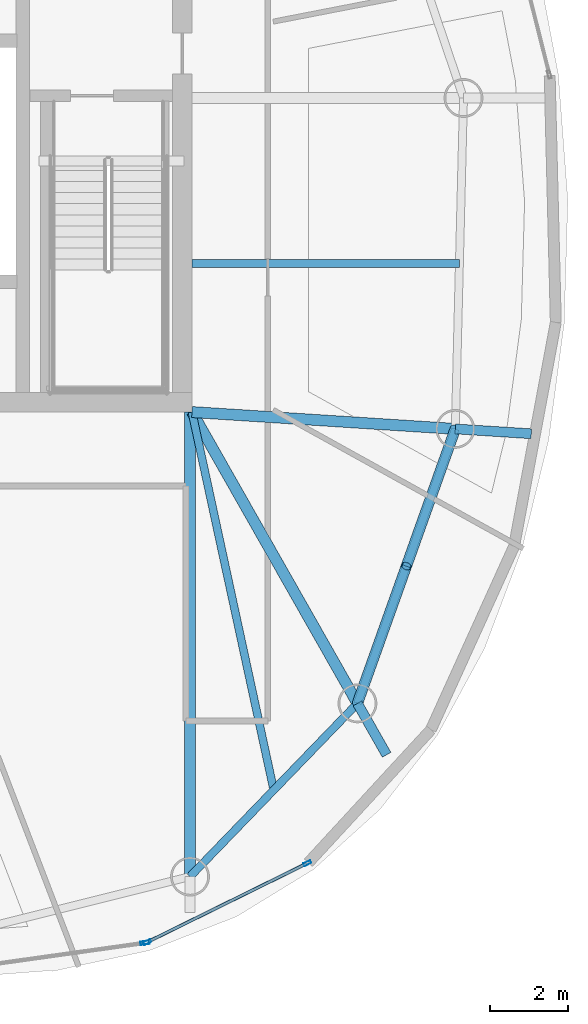
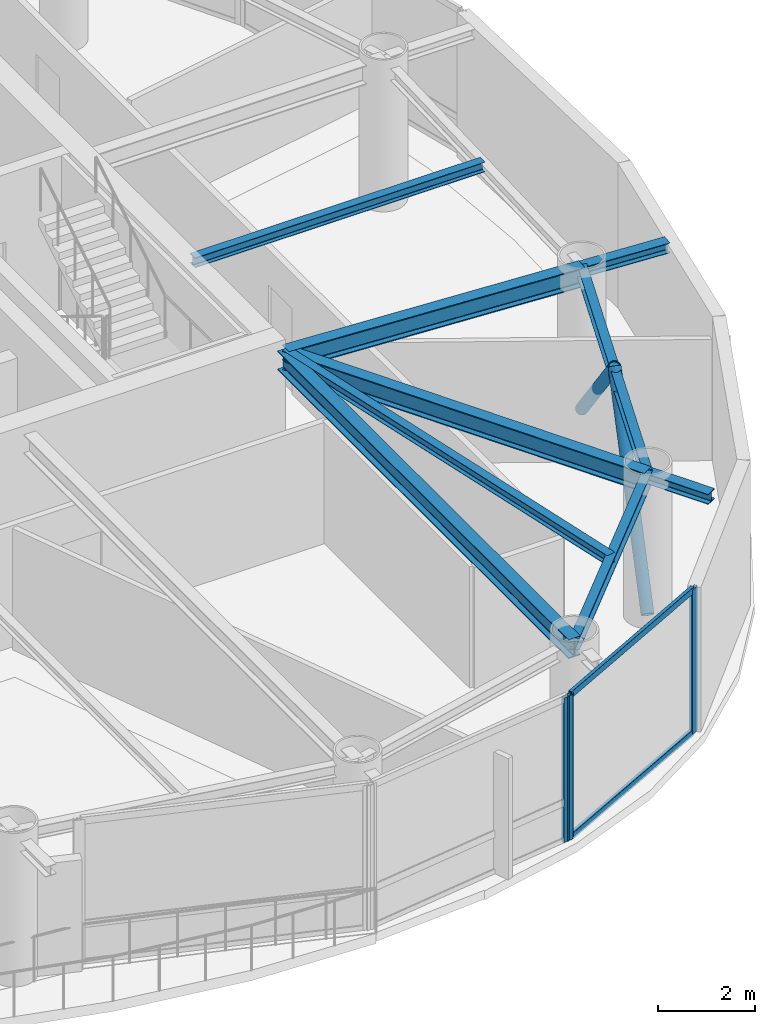
# One storey, part 7 of 20: 9 beams, 7 members, 2 elements without a shape of their own.
"""IFC4 building model written with IfcOpenShell, lengths in metres."""

import ifcopenshell
import ifcopenshell.guid

model = None  # the IFC model being written
_history = None  # IfcOwnerHistory: only IFC2X3 demands one
_inside = {}  # id of a spatial element -> (the spatial element, [elements in it])
_under = {}  # id of a project, library or spatial element -> (it, [spatial elements below it])
_declared = {}  # id of a project -> (the project, [libraries it declares])
_typed = {}  # id of a type object -> (the type object, [elements of that type])
_made_of = {}  # id of a material, layer set ... -> (it, [elements and type objects made of it])


def new_model(schema):
    """Start an empty IFC model of exactly this schema.

    Asked for "IFC4X3", IfcOpenShell would pick the latest addendum, in which some entities
    have other attributes; the version numbers below select the first issue.
    IFC2X3 requires an IfcOwnerHistory on every rooted entity: one is made here for all.
    """
    global model, _history
    if schema == "IFC4X3":
        model = ifcopenshell.file(schema_version=(4, 3, 0, 0))
    else:
        model = ifcopenshell.file(schema=schema)
    _inside.clear()
    _under.clear()
    _declared.clear()
    _typed.clear()
    _made_of.clear()
    _history = None
    if model.schema == "IFC2X3":
        org = make("IfcOrganization", Name="unknown")
        user = make(
            "IfcPersonAndOrganization",
            ThePerson=make("IfcPerson", FamilyName="unknown"),
            TheOrganization=org,
        )
        app = make(
            "IfcApplication",
            ApplicationDeveloper=org,
            Version="unknown",
            ApplicationFullName="unknown",
            ApplicationIdentifier="unknown",
        )
        _history = make(
            "IfcOwnerHistory",
            OwningUser=user,
            OwningApplication=app,
            ChangeAction="ADDED",
            CreationDate=0,
        )
    return model


def make(cls, **values):
    """One entity of the class cls with the attributes given. An attribute that is None is left unset."""
    return model.create_entity(
        cls, **{name: value for name, value in values.items() if value is not None}
    )


def rooted(cls, **values):
    """An entity with a GlobalId (a new one), such as an element, a storey or a relation."""
    return make(cls, GlobalId=ifcopenshell.guid.new(), OwnerHistory=_history, **values)


def si_unit(unit_type, name, prefix=None):
    """IfcSIUnit, for example si_unit("LENGTHUNIT", "METRE", prefix="MILLI")."""
    return make("IfcSIUnit", UnitType=unit_type, Prefix=prefix, Name=name)


def assignment(units):
    """IfcUnitAssignment: the units of a project."""
    return None if units is None else make("IfcUnitAssignment", Units=units)


def point(xyz):
    """IfcCartesianPoint."""
    return None if xyz is None else make("IfcCartesianPoint", Coordinates=xyz)


def direction(xyz):
    """IfcDirection."""
    return None if xyz is None else make("IfcDirection", DirectionRatios=xyz)


def frame(location, z_axis=None, x_axis=None):
    """IfcAxis2Placement3D, a coordinate frame: its origin and axes. An axis left out is left unset."""
    return make(
        "IfcAxis2Placement3D",
        Location=point(location),
        Axis=direction(z_axis),
        RefDirection=direction(x_axis),
    )


def frame_2d(location, x_axis=None):
    """IfcAxis2Placement2D, a coordinate frame in the plane: its origin and x axis."""
    return make(
        "IfcAxis2Placement2D", Location=point(location), RefDirection=direction(x_axis)
    )


def origin():
    """The frame at (0, 0, 0) with its axes left unset."""
    return frame((0.0, 0.0, 0.0))


def origin_2d():
    """The frame at (0, 0) in the plane with its x axis left unset."""
    return frame_2d((0.0, 0.0))


def place(relative_to, where):
    """IfcLocalPlacement: puts the frame where relative to a parent placement (None: the world)."""
    return make(
        "IfcLocalPlacement", PlacementRelTo=relative_to, RelativePlacement=where
    )


def context(
    kind, dimensions, precision=None, world=None, true_north=None, identifier=None
):
    """IfcGeometricRepresentationContext, for example the 3D "Model" context."""
    return make(
        "IfcGeometricRepresentationContext",
        ContextIdentifier=identifier,
        ContextType=kind,
        CoordinateSpaceDimension=dimensions,
        Precision=precision,
        WorldCoordinateSystem=world,
        TrueNorth=true_north,
    )


def subcontext(parent, identifier, kind, view, scale=None):
    """IfcGeometricRepresentationSubContext, for example "Body" below "Model"."""
    return make(
        "IfcGeometricRepresentationSubContext",
        ContextIdentifier=identifier,
        ContextType=kind,
        ParentContext=parent,
        TargetScale=scale,
        TargetView=view,
    )


def project(units=None, contexts=None):
    """IfcProject with its units and contexts."""
    return rooted(
        "IfcProject",
        Name="project",
        RepresentationContexts=contexts,
        UnitsInContext=assignment(units),
    )


def spatial(cls, under=None, at=None, **own):
    """A site, building, storey or space (cls), placed at a placement, below another one or the project."""
    s = rooted(cls, ObjectPlacement=at, **own)
    if under is not None:
        _under.setdefault(under.id(), (under, []))[1].append(s)
    return s


def profile(cls, at=None, kind="AREA", **sizes):
    """A parametric profile (cls). Its sizes go by their IFC names, for example OverallWidth=200.0."""
    return make(cls, ProfileType=kind, Position=at, **sizes)


def hollow_rectangle(**sizes):
    """IfcRectangleHollowProfileDef."""
    return profile("IfcRectangleHollowProfileDef", **sizes)


def hollow_circle(**sizes):
    """IfcCircleHollowProfileDef."""
    return profile("IfcCircleHollowProfileDef", **sizes)


def i_section(**sizes):
    """IfcIShapeProfileDef."""
    return profile("IfcIShapeProfileDef", **sizes)


def extrude(swept, where, along, depth):
    """IfcExtrudedAreaSolid: the profile swept, set in the frame where, extruded along a direction by depth."""
    return make(
        "IfcExtrudedAreaSolid",
        SweptArea=swept,
        Position=where,
        ExtrudedDirection=direction(along),
        Depth=depth,
    )


def shape(context_of_items, identifier, shape_type, items):
    """IfcShapeRepresentation: the items that make up one representation, for example the "Body"."""
    return make(
        "IfcShapeRepresentation",
        ContextOfItems=context_of_items,
        RepresentationIdentifier=identifier,
        RepresentationType=shape_type,
        Items=items,
    )


def material(Name=None, Category=None):
    """IfcMaterial."""
    return make("IfcMaterial", Name=Name, Category=Category)


def layer(
    of_material, thickness, ventilated=None, Name=None, Category=None, Priority=None
):
    """IfcMaterialLayer: one layer of a wall or slab, of a material (None: an air gap)."""
    return make(
        "IfcMaterialLayer",
        Material=of_material,
        LayerThickness=thickness,
        IsVentilated=ventilated,
        Name=Name,
        Category=Category,
        Priority=Priority,
    )


def layer_set(layers, Name=None):
    """IfcMaterialLayerSet."""
    return make("IfcMaterialLayerSet", MaterialLayers=layers, LayerSetName=Name)


def material_profile(
    of_material, cross_section, Name=None, Category=None, Priority=None
):
    """IfcMaterialProfile: a cross section and its material."""
    return make(
        "IfcMaterialProfile",
        Name=Name,
        Material=of_material,
        Profile=cross_section,
        Priority=Priority,
        Category=Category,
    )


def profile_set(profiles, Name=None, composite=None):
    """IfcMaterialProfileSet."""
    return make(
        "IfcMaterialProfileSet",
        Name=Name,
        MaterialProfiles=profiles,
        CompositeProfile=composite,
    )


def made_of(thing, what):
    """Note that an element or type object is made of a material, layer set ...; save() writes the relation."""
    if what is not None:
        _made_of.setdefault(what.id(), (what, []))[1].append(thing)
    return thing


def type_object(cls, material=None, **own):
    """A type object (cls), such as IfcWallType, which elements share."""
    return made_of(rooted(cls, **own), material)


def element(
    cls,
    number,
    at=None,
    inside=None,
    cuts=None,
    type_object=None,
    material=None,
    context=None,
    identifier="Body",
    shape_type=None,
    held_by="IfcProductDefinitionShape",
    body=None,
    shapes=None,
    **own,
):
    """One element of the class cls, such as IfcWall. Its Tag is "e" and its number.

    at: its placement. inside: the storey or other place that contains it. cuts: it is an
    opening in that element (IfcRelVoidsElement). A single representation is given by context,
    identifier, shape_type and body (its items); several are given by shapes. held_by: the class
    of the entity that holds the representations. save() writes the other relations.
    """
    e = rooted(cls, Tag="e%d" % number, ObjectPlacement=at, **own)
    if body is not None:
        shapes = [shape(context, identifier, shape_type, body)]
    if shapes is not None:
        e.Representation = make(held_by, Representations=shapes)
    if inside is not None:
        _inside.setdefault(inside.id(), (inside, []))[1].append(e)
    if cuts is not None:
        rooted(
            "IfcRelVoidsElement", RelatingBuildingElement=cuts, RelatedOpeningElement=e
        )
    if type_object is not None:
        _typed.setdefault(type_object.id(), (type_object, []))[1].append(e)
    return made_of(e, material)


def aggregate(whole, parts):
    """IfcRelAggregates: a whole, such as a stair, and the parts it consists of."""
    return rooted("IfcRelAggregates", RelatingObject=whole, RelatedObjects=parts)


def save(model, path):
    """Write the relations noted so far, then the file.

    IfcRelAggregates (storeys below a building ...), IfcRelContainedInSpatialStructure (elements
    in a storey), IfcRelDefinesByType, IfcRelAssociatesMaterial and IfcRelDeclares: one each for
    every whole, place, type object, material and project.
    """
    for whole, parts in _under.values():
        aggregate(whole, parts)
    for where, things in _inside.values():
        rooted(
            "IfcRelContainedInSpatialStructure",
            RelatedElements=things,
            RelatingStructure=where,
        )
    for kind, things in _typed.values():
        rooted("IfcRelDefinesByType", RelatedObjects=things, RelatingType=kind)
    for what, things in _made_of.values():
        rooted("IfcRelAssociatesMaterial", RelatedObjects=things, RelatingMaterial=what)
    for by, libraries in _declared.values():
        rooted("IfcRelDeclares", RelatingContext=by, RelatedDefinitions=libraries)
    model.write(path)


model = new_model("IFC4")

# Units and contexts
model_context = context("Model", 3, precision=1e-05, world=origin(), true_north=direction((0.0, 1.0)))
body_context = subcontext(model_context, "Body", "Model", "MODEL_VIEW")
ifc_project = project(units=[si_unit("LENGTHUNIT", "METRE"), si_unit("AREAUNIT", "SQUARE_METRE"), si_unit("VOLUMEUNIT", "CUBIC_METRE"), si_unit("PLANEANGLEUNIT", "RADIAN"), si_unit("MASSUNIT", "GRAM", prefix="KILO")], contexts=[model_context])

# Site, building, storey
site_placement = place(None, origin())
site = spatial("IfcSite", under=ifc_project, at=site_placement, CompositionType="ELEMENT")
building_placement = place(site_placement, origin())
building = spatial("IfcBuilding", under=site, at=building_placement, Name="Bramvorn Convention Spire", CompositionType="ELEMENT")
storey_placement = place(building_placement, frame((0.0, 0.0, 245.89990234375)))
storey = spatial("IfcBuildingStorey", under=building, at=storey_placement, Name="L62", CompositionType="ELEMENT", Elevation=245.89990234375)

# Beams
ifc_material_1 = material(Name="Steel CSA G40.21 Grade 350 (350W)", Category="steel")
ifc_material_profile_1 = material_profile(ifc_material_1, i_section(OverallWidth=0.201904296875, OverallDepth=0.2470703125, WebThickness=0.00732421875, FlangeThickness=0.010986328125, FilletRadius=0.011962890625, at=origin_2d()))
ifc_profile_set_1 = profile_set([ifc_material_profile_1], Name="Steel CSA G40.21 Grade 350 (350W) - W250X49")
beam_type_1 = type_object("IfcBeamType", Name="BM-W250X49", PredefinedType="JOIST", material=ifc_profile_set_1)
beam_1_placement = place(storey_placement, frame((49.25, 18.550048828125, 3.501708984375), z_axis=(0.211461445939, -0.977386339623, 0.0), x_axis=(0.977386339623, 0.211461445939, 0.0)))
element("IfcBeam", 1, at=beam_1_placement, inside=storey, type_object=beam_type_1, Name="L62 composite floor joist 01", PredefinedType="JOIST", context=body_context, shape_type="SweptSolid", body=[
    extrude(i_section(OverallWidth=0.201904296875, OverallDepth=0.2470703125, WebThickness=0.00732421875, FlangeThickness=0.010986328125, FilletRadius=0.011962890625, at=origin_2d()), origin(), (0.0, 0.0, 1.0), 9.9462890625),
])
beam_2_placement = place(storey_placement, frame((49.25, 22.373046875, 3.501708984375), z_axis=(1.0, 0.0, 0.0), x_axis=(0.0, 1.0, 0.0)))
element("IfcBeam", 2, at=beam_2_placement, inside=storey, type_object=beam_type_1, Name="L62 composite floor joist 03", PredefinedType="JOIST", context=body_context, shape_type="SweptSolid", body=[
    extrude(i_section(OverallWidth=0.201904296875, OverallDepth=0.2470703125, WebThickness=0.00732421875, FlangeThickness=0.010986328125, FilletRadius=0.011962890625, at=origin_2d()), origin(), (0.0, 0.0, 1.0), 6.879150390625),
])
ifc_material_profile_2 = material_profile(ifc_material_1, i_section(OverallWidth=0.25390625, OverallDepth=0.2529296875, WebThickness=0.008544921875, FlangeThickness=0.01416015625, FilletRadius=0.011962890625, at=origin_2d()))
ifc_profile_set_2 = profile_set([ifc_material_profile_2], Name="Steel CSA G40.21 Grade 350 (350W) - W250X73")
beam_type_2 = type_object("IfcBeamType", Name="BM-W250X73", PredefinedType="BEAM", material=ifc_profile_set_2)
beam_3_placement = place(storey_placement, frame((53.50634765625, 11.05615234375, 3.49853515625), z_axis=(0.493923883094, -0.869505145304, 0.0), x_axis=(0.869505145304, 0.493923883094, 0.0)))
element("IfcBeam", 3, at=beam_3_placement, inside=storey, type_object=beam_type_2, Name="L62 slab-edge cantilever tip beam MC02", PredefinedType="BEAM", context=body_context, shape_type="SweptSolid", body=[
    extrude(i_section(OverallWidth=0.25390625, OverallDepth=0.2529296875, WebThickness=0.008544921875, FlangeThickness=0.01416015625, FilletRadius=0.011962890625, at=origin_2d()), origin(), (0.0, 0.0, 1.0), 1.5205078125),
])
beam_4_placement = place(storey_placement, frame((56.023681640625, 18.116455078125, 3.49853515625), z_axis=(0.997962334947, -0.063805783653, 0.0), x_axis=(0.063805783653, 0.997962334947, 0.0)))
element("IfcBeam", 4, at=beam_4_placement, inside=storey, type_object=beam_type_2, Name="L62 slab-edge cantilever tip beam MC03", PredefinedType="BEAM", context=body_context, shape_type="SweptSolid", body=[
    extrude(i_section(OverallWidth=0.25390625, OverallDepth=0.2529296875, WebThickness=0.008544921875, FlangeThickness=0.01416015625, FilletRadius=0.011962890625, at=origin_2d()), origin(), (0.0, 0.0, 1.0), 1.958984375),
])
ifc_material_profile_3 = material_profile(ifc_material_1, i_section(OverallWidth=0.202880859375, OverallDepth=0.302978515625, WebThickness=0.007568359375, FlangeThickness=0.01318359375, FilletRadius=0.013916015625, at=origin_2d()))
ifc_profile_set_3 = profile_set([ifc_material_profile_3], Name="Steel CSA G40.21 Grade 350 (350W) - W310X60")
beam_type_3 = type_object("IfcBeamType", Name="BM-W310X60", PredefinedType="JOIST", material=ifc_profile_set_3)
beam_5_placement = place(storey_placement, frame((49.199951171875, 6.60107421875, 3.4736328125), z_axis=(0.695007159797, 0.719002814898, 0.0), x_axis=(-0.719002814898, 0.695007159797, 0.0)))
element("IfcBeam", 5, at=beam_5_placement, inside=storey, type_object=beam_type_3, Name="L62 mega-column ring beam 01", PredefinedType="JOIST", context=body_context, shape_type="SweptSolid", body=[
    extrude(i_section(OverallWidth=0.202880859375, OverallDepth=0.302978515625, WebThickness=0.007568359375, FlangeThickness=0.01318359375, FilletRadius=0.013916015625, at=origin_2d()), origin(), (0.0, 0.0, 1.0), 6.1962890625),
])
beam_6_placement = place(storey_placement, frame((53.50634765625, 11.05615234375, 3.4736328125), z_axis=(0.335839090413, 0.941919373063, 0.0), x_axis=(-0.941919373063, 0.335839090413, 0.0)))
element("IfcBeam", 6, at=beam_6_placement, inside=storey, type_object=beam_type_3, Name="L62 mega-column ring beam 02", PredefinedType="JOIST", context=body_context, shape_type="SweptSolid", body=[
    extrude(i_section(OverallWidth=0.202880859375, OverallDepth=0.302978515625, WebThickness=0.007568359375, FlangeThickness=0.01318359375, FilletRadius=0.013916015625, at=origin_2d()), origin(), (0.0, 0.0, 1.0), 7.49560546875),
])
ifc_material_profile_4 = material_profile(ifc_material_1, i_section(OverallWidth=0.283935546875, OverallDepth=0.47607421875, WebThickness=0.014892578125, FlangeThickness=0.02392578125, FilletRadius=0.01806640625, at=origin_2d()))
ifc_profile_set_4 = profile_set([ifc_material_profile_4], Name="Steel CSA G40.21 Grade 350 (350W) - W460X158")
beam_type_4 = type_object("IfcBeamType", Name="BM-W460X158", PredefinedType="SPANDREL", material=ifc_profile_set_4)
beam_7_placement = place(storey_placement, frame((49.199951171875, 18.550048828125, 3.38720703125), z_axis=(0.0, -1.0, 0.0), x_axis=(1.0, 0.0, 0.0)))
element("IfcBeam", 7, at=beam_7_placement, inside=storey, type_object=beam_type_4, Name="L62 radial floor girder MC01", PredefinedType="SPANDREL", context=body_context, shape_type="SweptSolid", body=[
    extrude(i_section(OverallWidth=0.283935546875, OverallDepth=0.47607421875, WebThickness=0.014892578125, FlangeThickness=0.02392578125, FilletRadius=0.01806640625, at=origin_2d()), origin(), (0.0, 0.0, 1.0), 11.948974609375),
])
beam_8_placement = place(storey_placement, frame((49.25, 18.550048828125, 3.38720703125), z_axis=(0.493873612118, -0.869533699895, 0.0), x_axis=(0.869533699895, 0.493873612118, 0.0)))
element("IfcBeam", 8, at=beam_8_placement, inside=storey, type_object=beam_type_4, Name="L62 radial floor girder MC02", PredefinedType="SPANDREL", context=body_context, shape_type="SweptSolid", body=[
    extrude(i_section(OverallWidth=0.283935546875, OverallDepth=0.47607421875, WebThickness=0.014892578125, FlangeThickness=0.02392578125, FilletRadius=0.01806640625, at=origin_2d()), origin(), (0.0, 0.0, 1.0), 8.618408203125),
])
beam_9_placement = place(storey_placement, frame((49.25, 18.550048828125, 3.38720703125), z_axis=(0.997957536354, -0.063880792379, 0.0), x_axis=(0.063880792379, 0.997957536354, 0.0)))
element("IfcBeam", 9, at=beam_9_placement, inside=storey, type_object=beam_type_4, Name="L62 radial floor girder MC03", PredefinedType="SPANDREL", context=body_context, shape_type="SweptSolid", body=[
    extrude(i_section(OverallWidth=0.283935546875, OverallDepth=0.47607421875, WebThickness=0.014892578125, FlangeThickness=0.02392578125, FilletRadius=0.01806640625, at=origin_2d()), origin(), (0.0, 0.0, 1.0), 6.78759765625),
])

# Curtain wall, members
ifc_material_2 = material(Name="Anodised Bronze Unitised Curtain Wall", Category="aluminium")
ifc_layer_1 = layer(ifc_material_2, 0.179931640625)
ifc_layer_set_1 = layer_set([ifc_layer_1], Name="Anodised Bronze Unitised Curtain Wall - CW-OFF-FRIT")
curtain_wall_type_1 = type_object("IfcCurtainWallType", Name="CW-OFF-FRIT", PredefinedType="USERDEFINED", material=ifc_layer_set_1)
curtain_wall_1_placement = place(storey_placement, origin())
curtain_wall_1 = element("IfcCurtainWall", 10, at=curtain_wall_1_placement, inside=storey, type_object=curtain_wall_type_1, Name="L62 fritted glass curtain wall 24", ObjectType="UNITISED CURTAIN WALL", PredefinedType="USERDEFINED")
ifc_material_3 = material(Name="Anodised Bronze Aluminium 6063-T6", Category="aluminium")
ifc_material_profile_5 = material_profile(ifc_material_3, hollow_rectangle(XDim=0.080078125, YDim=0.199951171875, WallThickness=0.00390625, InnerFilletRadius=0.0009765625, OuterFilletRadius=0.00390625, at=origin_2d()))
ifc_profile_set_5 = profile_set([ifc_material_profile_5], Name="Anodised Bronze Aluminium 6063-T6 - CWM80X200")
member_type_1 = type_object("IfcMemberType", Name="CW-MUL-180", PredefinedType="MULLION", material=ifc_profile_set_5)
member_1_placement = place(storey_placement, frame((52.2177734375, 6.9453125, 0.0), z_axis=(0.0, 0.0, 1.0), x_axis=(0.44234745155, -0.896843761258, 0.0)))
member_1 = element("IfcMember", 11, at=member_1_placement, type_object=member_type_1, Name="CW3 mullion 1", PredefinedType="MULLION", context=body_context, shape_type="SweptSolid", body=[
    extrude(hollow_rectangle(XDim=0.080078125, YDim=0.199951171875, WallThickness=0.00390625, InnerFilletRadius=0.0009765625, OuterFilletRadius=0.00390625, at=origin_2d()), origin(), (0.0, 0.0, 1.0), 3.625),
])
member_2_placement = place(storey_placement, frame((48.100830078125, 4.91455078125, 0.0), z_axis=(0.0, 0.0, 1.0), x_axis=(0.44234745155, -0.896843761258, 0.0)))
member_2 = element("IfcMember", 12, at=member_2_placement, type_object=member_type_1, Name="CW3 mullion 2", PredefinedType="MULLION", context=body_context, shape_type="SweptSolid", body=[
    extrude(hollow_rectangle(XDim=0.080078125, YDim=0.199951171875, WallThickness=0.00390625, InnerFilletRadius=0.0009765625, OuterFilletRadius=0.00390625, at=origin_2d()), origin(), (0.0, 0.0, 1.0), 3.625),
])

# Curtain wall, member
ifc_layer_2 = layer(ifc_material_2, 0.219970703125)
ifc_layer_set_2 = layer_set([ifc_layer_2], Name="Anodised Bronze Unitised Curtain Wall - CW-SKYGARDEN")
curtain_wall_type_2 = type_object("IfcCurtainWallType", Name="CW-SKYGARDEN", PredefinedType="USERDEFINED", material=ifc_layer_set_2)
curtain_wall_2_placement = place(storey_placement, origin())
curtain_wall_2 = element("IfcCurtainWall", 13, at=curtain_wall_2_placement, inside=storey, type_object=curtain_wall_type_2, Name="L62 Sky Garden glazed facade 23", ObjectType="WINTER GARDEN GLAZING", PredefinedType="USERDEFINED")
ifc_material_profile_6 = material_profile(ifc_material_3, hollow_rectangle(XDim=0.090087890625, YDim=0.239990234375, WallThickness=0.00439453125, InnerFilletRadius=0.0009765625, OuterFilletRadius=0.00439453125, at=origin_2d()))
ifc_profile_set_6 = profile_set([ifc_material_profile_6], Name="Anodised Bronze Aluminium 6063-T6 - CWM90X240")
member_type_2 = type_object("IfcMemberType", Name="CW-MUL-220", PredefinedType="MULLION", material=ifc_profile_set_6)
member_3_placement = place(storey_placement, frame((48.044189453125, 4.897216796875, 0.0), z_axis=(0.0, 0.0, 1.0), x_axis=(0.139077324534, -0.990281524517, 0.0)))
member_3 = element("IfcMember", 14, at=member_3_placement, type_object=member_type_2, Name="CW4 mullion 1", PredefinedType="MULLION", context=body_context, shape_type="SweptSolid", body=[
    extrude(hollow_rectangle(XDim=0.090087890625, YDim=0.239990234375, WallThickness=0.00439453125, InnerFilletRadius=0.0009765625, OuterFilletRadius=0.00439453125, at=origin_2d()), origin(), (0.0, 0.0, 1.0), 3.625),
])
aggregate(curtain_wall_2, [member_3])

# Member
ifc_material_profile_7 = material_profile(ifc_material_3, hollow_rectangle(XDim=0.080078125, YDim=0.159912109375, WallThickness=0.00390625, InnerFilletRadius=0.0009765625, OuterFilletRadius=0.00390625, at=origin_2d()))
ifc_profile_set_7 = profile_set([ifc_material_profile_7], Name="Anodised Bronze Aluminium 6063-T6 - CWT80X160")
member_type_3 = type_object("IfcMemberType", Name="CW-TRN-150", PredefinedType="USERDEFINED", material=ifc_profile_set_7)
member_4_placement = place(storey_placement, frame((52.19091796875, 6.93212890625, 0.030029296875), z_axis=(-0.896838950956, -0.442357204134, 0.0), x_axis=(0.442357204134, -0.896838950956, 0.0)))
member_4 = element("IfcMember", 15, at=member_4_placement, type_object=member_type_3, Name="CW3 transom 1.1", ObjectType="TRANSOM", PredefinedType="USERDEFINED", context=body_context, shape_type="SweptSolid", body=[
    extrude(hollow_rectangle(XDim=0.080078125, YDim=0.159912109375, WallThickness=0.00390625, InnerFilletRadius=0.0009765625, OuterFilletRadius=0.00390625, at=origin_2d()), origin(), (0.0, 0.0, 1.0), 4.530517578125),
])

member_5_placement = place(storey_placement, frame((52.19091796875, 6.93212890625, 3.59521484375), z_axis=(-0.896838950956, -0.442357204134, 0.0), x_axis=(0.442357204134, -0.896838950956, 0.0)))
member_5 = element("IfcMember", 16, at=member_5_placement, type_object=member_type_3, Name="CW3 transom 1.2", ObjectType="TRANSOM", PredefinedType="USERDEFINED", context=body_context, shape_type="SweptSolid", body=[
    extrude(hollow_rectangle(XDim=0.080078125, YDim=0.159912109375, WallThickness=0.00390625, InnerFilletRadius=0.0009765625, OuterFilletRadius=0.00390625, at=origin_2d()), origin(), (0.0, 0.0, 1.0), 4.530517578125),
])

aggregate(curtain_wall_1, [member_1, member_2, member_4, member_5])

# Members
ifc_material_profile_8 = material_profile(ifc_material_1, hollow_circle(Radius=0.136474609375, WallThickness=0.0126953125, at=origin_2d()))
ifc_profile_set_8 = profile_set([ifc_material_profile_8], Name="Steel CSA G40.21 Grade 350 (350W) - CHS273X13")
member_type_4 = type_object("IfcMemberType", Name="MBR-CHS273X13", PredefinedType="BRACE", material=ifc_profile_set_8)
member_6_placement = place(storey_placement, frame((53.50634765625, 11.05615234375, 0.0), z_axis=(0.241415019829, 0.677048329465, 0.695215324751), x_axis=(-0.941912743486, 0.335857683639, 0.0)))
element("IfcMember", 17, at=member_6_placement, inside=storey, type_object=member_type_4, Name="L62 perimeter Gothic lancet brace 2A", PredefinedType="BRACE", context=body_context, shape_type="SweptSolid", body=[
    extrude(hollow_circle(Radius=0.136474609375, WallThickness=0.0126953125, at=origin_2d()), origin(), (0.0, 0.0, 1.0), 5.214111328125),
])
member_7_placement = place(storey_placement, frame((56.023681640625, 18.116455078125, 0.0), z_axis=(-0.241378577718, -0.677030621771, 0.695245222495), x_axis=(0.941926002824, -0.335820495509, 0.0)))
element("IfcMember", 18, at=member_7_placement, inside=storey, type_object=member_type_4, Name="L62 perimeter Gothic lancet brace 2B", PredefinedType="BRACE", context=body_context, shape_type="SweptSolid", body=[
    extrude(hollow_circle(Radius=0.136474609375, WallThickness=0.0126953125, at=origin_2d()), origin(), (0.0, 0.0, 1.0), 5.2138671875),
])

save(model, "model.ifc")
